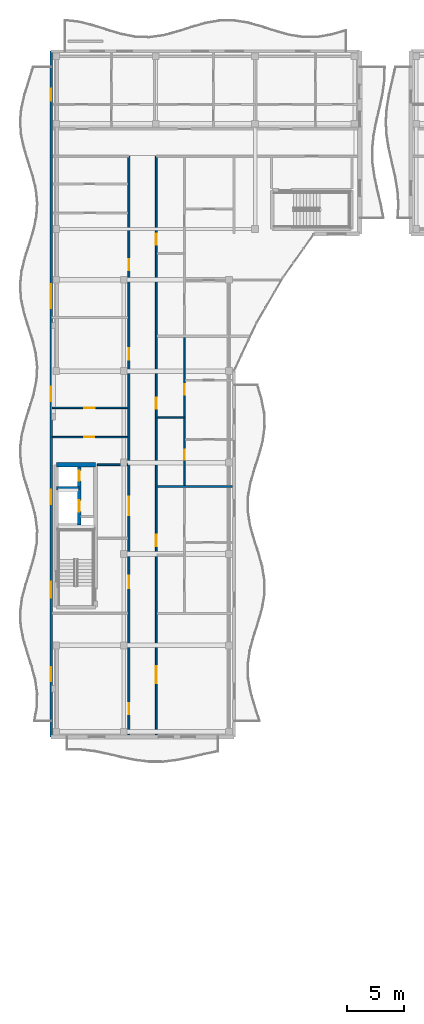
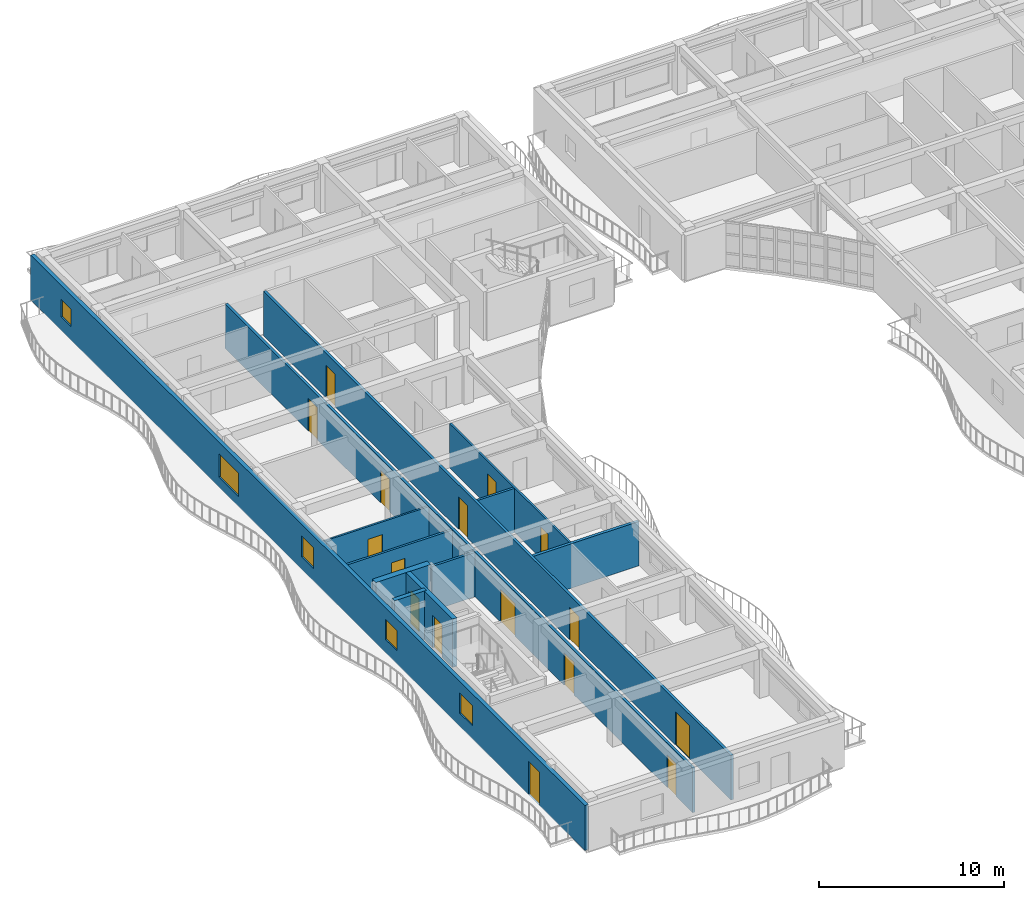
# One storey, part 40 of 79: 16 doors, 12 walls, 5 windows, 21 openings.
"""IFC4 building model written with IfcOpenShell, lengths in metres."""

from ifc_helpers import new_model, si_unit, direction, frame, frame_2d, origin, place, context, subcontext, project, spatial, rectangle, extrude, material, layer, layer_set, type_object, element, fill, save


model = new_model("IFC4")

# Units and contexts
model_context = context("Model", 3, precision=1e-05, world=origin(), true_north=direction((0.0, 1.0)))
body_context = subcontext(model_context, "Body", "Model", "MODEL_VIEW")
ifc_project = project(units=[si_unit("LENGTHUNIT", "METRE"), si_unit("AREAUNIT", "SQUARE_METRE"), si_unit("VOLUMEUNIT", "CUBIC_METRE"), si_unit("PLANEANGLEUNIT", "RADIAN"), si_unit("MASSUNIT", "GRAM", prefix="KILO")], contexts=[model_context])

# Site, building, storey
site_placement = place(None, origin())
site = spatial("IfcSite", under=ifc_project, at=site_placement, CompositionType="ELEMENT")
building_placement = place(site_placement, origin())
building = spatial("IfcBuilding", under=site, at=building_placement, Name="Keldmere Railside Commons", CompositionType="ELEMENT")
storey_placement = place(building_placement, frame((0.0, 0.0, 10.56005859375)))
storey = spatial("IfcBuildingStorey", under=building, at=storey_placement, Name="L03", CompositionType="ELEMENT", Elevation=10.56005859375)

# Wall
ifc_material_1 = material(Name="Acoustic Gypsum Board Partition", Category="gypsum")
ifc_layer_1 = layer(ifc_material_1, 0.179931640625, Name="Acoustic Demising Partition 180")
ifc_layer_set_1 = layer_set([ifc_layer_1], Name="Acoustic Gypsum Board Partition")
wall_type_1 = type_object("IfcWallType", Name="Acoustic Demising Partition 180", PredefinedType="PARTITIONING", material=ifc_layer_set_1)
wall_1_placement = place(storey_placement, frame((17.280029296875, 77.909912109375, 0.0), z_axis=(0.0, 0.0, 1.0), x_axis=(1.0, 0.0, 0.0)))
element("IfcWall", 1, at=wall_1_placement, inside=storey, type_object=wall_type_1, Name="IW-1 IW-L03-0295", PredefinedType="PARTITIONING", context=body_context, shape_type="SweptSolid", body=[
    extrude(rectangle(XDim=6.599853515625, YDim=0.179931640625, at=frame_2d((3.2998046875, 0.0))), origin(), (0.0, 0.0, 1.0), 2.93505859375),
])

# Wall, openings, doors
ifc_layer_2 = layer(ifc_material_1, 0.1201171875, Name="Apartment Interior Partition 120")
ifc_layer_set_2 = layer_set([ifc_layer_2], Name="Acoustic Gypsum Board Partition")
wall_type_2 = type_object("IfcWallType", Name="Apartment Interior Partition 120", PredefinedType="PARTITIONING", material=ifc_layer_set_2)
wall_2_placement = place(storey_placement, frame((19.659912109375, 78.0, 0.0), z_axis=(0.0, 0.0, 1.0), x_axis=(0.0, 1.0, 0.0)))
wall_2 = element("IfcWall", 2, at=wall_2_placement, inside=storey, type_object=wall_type_2, Name="IW-4 IW-L03-0300", PredefinedType="PARTITIONING", context=body_context, shape_type="SweptSolid", body=[
    extrude(rectangle(XDim=12.9599609375, YDim=0.1201171875, at=frame_2d((6.47998046875, 0.0))), origin(), (0.0, 0.0, 1.0), 2.93505859375),
])
opening_1_placement = place(wall_2_placement, frame((2.264892578125, 0.0, 0.0)))
opening_1 = element("IfcOpeningElement", 3, at=opening_1_placement, cuts=wall_2, Name="Opening ID-04", PredefinedType="OPENING", context=body_context, shape_type="SweptSolid", body=[
    extrude(rectangle(XDim=0.860107421875, YDim=2.10009765625, at=frame_2d((0.43017578125, 1.050048828125))), frame((0.0, 0.070068359375, 0.0), z_axis=(0.0, -1.0, 0.0), x_axis=(1.0, 0.0, 0.0)), (0.0, 0.0, 1.0), 0.14013671875),
])
opening_2_placement = place(wall_2_placement, frame((7.919921875, 0.0, 0.0)))
opening_2 = element("IfcOpeningElement", 4, at=opening_2_placement, cuts=wall_2, Name="Opening ID-03", PredefinedType="OPENING", context=body_context, shape_type="SweptSolid", body=[
    extrude(rectangle(XDim=0.919921875, YDim=2.10009765625, at=frame_2d((0.4599609375, 1.050048828125))), frame((0.0, 0.070068359375, 0.0), z_axis=(0.0, -1.0, 0.0), x_axis=(1.0, 0.0, 0.0)), (0.0, 0.0, 1.0), 0.14013671875),
])
ifc_material_2 = material(Name="Engineered Oak Timber", Category="wood")
door_type_1 = type_object("IfcDoorType", Name="Apartment Bathroom Door 860x2100", OperationType="NOTDEFINED", PredefinedType="DOOR", material=ifc_material_2)
door_1_placement = place(opening_1_placement, origin())
door_1 = element("IfcDoor", 5, at=door_1_placement, inside=storey, type_object=door_type_1, Name="ID-04 IDR-L03-0203", OperationType="SINGLE_SWING_LEFT", OverallHeight=2.10009765625, OverallWidth=0.860107421875, PredefinedType="DOOR", context=body_context, shape_type="SweptSolid", body=[
    extrude(rectangle(XDim=0.860107421875, YDim=2.10009765625, at=frame_2d((0.43017578125, 1.050048828125))), frame((0.0, 0.02490234375, 0.0), z_axis=(0.0, -1.0, 0.0), x_axis=(1.0, 0.0, 0.0)), (0.0, 0.0, 1.0), 0.050048828125),
])
fill(opening_1, door_1)
door_type_2 = type_object("IfcDoorType", Name="Kitchen Pocket-Frame Swing Door 920x2100", OperationType="NOTDEFINED", PredefinedType="DOOR", material=ifc_material_2)
door_2_placement = place(opening_2_placement, origin())
door_2 = element("IfcDoor", 6, at=door_2_placement, inside=storey, type_object=door_type_2, Name="ID-03 IDR-L03-0204", OperationType="SINGLE_SWING_RIGHT", OverallHeight=2.10009765625, OverallWidth=0.919921875, PredefinedType="DOOR", context=body_context, shape_type="SweptSolid", body=[
    extrude(rectangle(XDim=0.919921875, YDim=2.10009765625, at=frame_2d((0.4599609375, 1.050048828125))), frame((0.0, 0.02490234375, 0.0), z_axis=(0.0, -1.0, 0.0), x_axis=(1.0, 0.0, 0.0)), (0.0, 0.0, 1.0), 0.050048828125),
])
fill(opening_2, door_2)

# Wall, opening, door
wall_3_placement = place(storey_placement, frame((8.1201171875, 84.780029296875, 0.0), z_axis=(0.0, 0.0, 1.0), x_axis=(1.0, 0.0, 0.0)))
wall_3 = element("IfcWall", 7, at=wall_3_placement, inside=storey, type_object=wall_type_2, Name="IW-4 IW-L03-0321", PredefinedType="PARTITIONING", context=body_context, shape_type="SweptSolid", body=[
    extrude(rectangle(XDim=6.599853515625, YDim=0.1201171875, at=frame_2d((3.2998046875, 0.0))), origin(), (0.0, 0.0, 1.0), 2.93505859375),
])
opening_3_placement = place(wall_3_placement, frame((2.77197265625, 0.0, 0.0)))
opening_3 = element("IfcOpeningElement", 8, at=opening_3_placement, cuts=wall_3, Name="Opening ID-03", PredefinedType="OPENING", context=body_context, shape_type="SweptSolid", body=[
    extrude(rectangle(XDim=0.919921875, YDim=2.10009765625, at=frame_2d((0.4599609375, 1.050048828125))), frame((0.0, 0.070068359375, 0.0), z_axis=(0.0, -1.0, 0.0), x_axis=(1.0, 0.0, 0.0)), (0.0, 0.0, 1.0), 0.14013671875),
])
door_3_placement = place(opening_3_placement, origin())
door_3 = element("IfcDoor", 9, at=door_3_placement, inside=storey, type_object=door_type_2, Name="ID-03 IDR-L03-0230", OperationType="SINGLE_SWING_RIGHT", OverallHeight=2.10009765625, OverallWidth=0.919921875, PredefinedType="DOOR", context=body_context, shape_type="SweptSolid", body=[
    extrude(rectangle(XDim=0.919921875, YDim=2.10009765625, at=frame_2d((0.4599609375, 1.050048828125))), frame((0.0, 0.02490234375, 0.0), z_axis=(0.0, -1.0, 0.0), x_axis=(1.0, 0.0, 0.0)), (0.0, 0.0, 1.0), 0.050048828125),
])
fill(opening_3, door_3)

# Wall
ifc_material_3 = material(Name="Concrete H-35 (C35/45)", Category="concrete")
ifc_layer_3 = layer(ifc_material_3, 0.280029296875, Name="Core Shear Wall 280")
ifc_layer_set_3 = layer_set([ifc_layer_3], Name="Concrete H-35 (C35/45)")
wall_type_3 = type_object("IfcWallType", Name="Core Shear Wall 280", PredefinedType="SHEAR", material=ifc_layer_set_3)
wall_4_placement = place(storey_placement, frame((8.4599609375, 77.75, 0.0), z_axis=(0.0, 0.0, 1.0), x_axis=(1.0, 0.0, 0.0)))
element("IfcWall", 10, at=wall_4_placement, inside=storey, type_object=wall_type_3, Name="CSW-2 COREDL-L03-0068", PredefinedType="SHEAR", context=body_context, shape_type="SweptSolid", body=[
    extrude(rectangle(XDim=2.0, YDim=0.280029296875, at=frame_2d((1.0, 0.0))), origin(), (0.0, 0.0, 1.0), 3.199951171875),
])

# Wall, openings, doors
wall_5_placement = place(storey_placement, frame((10.4599609375, 74.550048828125, 0.0), z_axis=(0.0, 0.0, 1.0), x_axis=(0.0, 1.0, 0.0)))
wall_5 = element("IfcWall", 11, at=wall_5_placement, inside=storey, type_object=wall_type_3, Name="CSW-2 LSHD-L03-0069", PredefinedType="SHEAR", context=body_context, shape_type="SweptSolid", body=[
    extrude(rectangle(XDim=5.25, YDim=0.280029296875, at=frame_2d((2.625, 0.0))), origin(), (0.0, 0.0, 1.0), 3.199951171875),
])
opening_4_placement = place(wall_5_placement, frame((1.14990234375, 0.0, 0.0)))
opening_4 = element("IfcOpeningElement", 12, at=opening_4_placement, cuts=wall_5, Name="Opening LD-1", PredefinedType="OPENING", context=body_context, shape_type="SweptSolid", body=[
    extrude(rectangle(XDim=1.0, YDim=2.14990234375, at=frame_2d((0.5, 1.074951171875))), frame((0.0, 0.14990234375, 0.0), z_axis=(0.0, -1.0, 0.0), x_axis=(1.0, 0.0, 0.0)), (0.0, 0.0, 1.0), 0.300048828125),
])
opening_5_placement = place(wall_5_placement, frame((3.85009765625, 0.0, 0.0)))
opening_5 = element("IfcOpeningElement", 13, at=opening_5_placement, cuts=wall_5, Name="Opening LD-2", PredefinedType="OPENING", context=body_context, shape_type="SweptSolid", body=[
    extrude(rectangle(XDim=0.89990234375, YDim=2.14990234375, at=frame_2d((0.449951171875, 1.074951171875))), frame((0.0, 0.14990234375, 0.0), z_axis=(0.0, -1.0, 0.0), x_axis=(1.0, 0.0, 0.0)), (0.0, 0.0, 1.0), 0.300048828125),
])
ifc_material_4 = material(Name="Steel F-24 (S235)", Category="steel")
door_type_3 = type_object("IfcDoorType", Name="Firefighting Stretcher Lift Landing Door 1000x2150", OperationType="SLIDING_TO_LEFT", PredefinedType="DOOR", material=ifc_material_4)
door_4_placement = place(opening_4_placement, origin())
door_4 = element("IfcDoor", 14, at=door_4_placement, inside=storey, type_object=door_type_3, Name="LD-1 D L03", OperationType="SLIDING_TO_LEFT", OverallHeight=2.14990234375, OverallWidth=1.0, PredefinedType="DOOR", context=body_context, shape_type="SweptSolid", body=[
    extrude(rectangle(XDim=1.0, YDim=2.14990234375, at=frame_2d((0.5, 1.074951171875))), frame((0.0, 0.02490234375, 0.0), z_axis=(0.0, -1.0, 0.0), x_axis=(1.0, 0.0, 0.0)), (0.0, 0.0, 1.0), 0.050048828125),
])
fill(opening_4, door_4)
door_type_4 = type_object("IfcDoorType", Name="Passenger Lift Sliding Landing Door 900x2150", OperationType="SLIDING_TO_RIGHT", PredefinedType="DOOR", material=ifc_material_4)
door_5_placement = place(opening_5_placement, origin())
door_5 = element("IfcDoor", 15, at=door_5_placement, inside=storey, type_object=door_type_4, Name="LD-2 D L03", OperationType="SLIDING_TO_RIGHT", OverallHeight=2.14990234375, OverallWidth=0.89990234375, PredefinedType="DOOR", context=body_context, shape_type="SweptSolid", body=[
    extrude(rectangle(XDim=0.89990234375, YDim=2.14990234375, at=frame_2d((0.449951171875, 1.074951171875))), frame((0.0, 0.02490234375, 0.0), z_axis=(0.0, -1.0, 0.0), x_axis=(1.0, 0.0, 0.0)), (0.0, 0.0, 1.0), 0.050048828125),
])
fill(opening_5, door_5)

# Wall
ifc_material_5 = material(Name="Concrete H-40 (C40/50)", Category="concrete")
ifc_layer_4 = layer(ifc_material_5, 0.3798828125, Name="Core Shear Wall 380")
ifc_layer_set_4 = layer_set([ifc_layer_4], Name="Concrete H-40 (C40/50)")
wall_type_4 = type_object("IfcWallType", Name="Core Shear Wall 380", PredefinedType="SHEAR", material=ifc_layer_set_4)
wall_6_placement = place(storey_placement, frame((8.4599609375, 79.800048828125, 0.0), z_axis=(0.0, 0.0, 1.0), x_axis=(1.0, 0.0, 0.0)))
element("IfcWall", 16, at=wall_6_placement, inside=storey, type_object=wall_type_4, Name="CW-CORE COREDN-L03-0064", PredefinedType="SHEAR", context=body_context, shape_type="SweptSolid", body=[
    extrude(rectangle(XDim=3.41015625, YDim=0.3798828125, at=frame_2d((1.705078125, 0.0))), origin(), (0.0, 0.0, 1.0), 3.199951171875),
])

# Wall, openings, doors
ifc_layer_5 = layer(ifc_material_1, 0.159912109375, Name="Corridor Fire Partition 160")
ifc_layer_set_5 = layer_set([ifc_layer_5], Name="Acoustic Gypsum Board Partition")
wall_type_5 = type_object("IfcWallType", Name="Corridor Fire Partition 160", PredefinedType="PARTITIONING", material=ifc_layer_set_5)
wall_7_placement = place(storey_placement, frame((14.800048828125, 56.179931640625, 0.0), z_axis=(0.0, 0.0, 1.0), x_axis=(0.0, 1.0, 0.0)))
wall_7 = element("IfcWall", 17, at=wall_7_placement, inside=storey, type_object=wall_type_5, Name="IW-2 IW-L03-0286", PredefinedType="PARTITIONING", context=body_context, shape_type="SweptSolid", body=[
    extrude(rectangle(XDim=50.6201171875, YDim=0.159912109375, at=frame_2d((25.31005859375, 0.0))), origin(), (0.0, 0.0, 1.0), 2.93505859375),
])
opening_6_placement = place(wall_7_placement, frame((12.820068359375, 0.0, 0.0)))
opening_6 = element("IfcOpeningElement", 18, at=opening_6_placement, cuts=wall_7, Name="Opening FD-2", PredefinedType="OPENING", context=body_context, shape_type="SweptSolid", body=[
    extrude(rectangle(XDim=1.10009765625, YDim=2.14990234375, at=frame_2d((0.550048828125, 1.074951171875))), frame((0.0, 0.08984375, 0.0), z_axis=(0.0, -1.0, 0.0), x_axis=(1.0, 0.0, 0.0)), (0.0, 0.0, 1.0), 0.179931640625),
])
opening_7_placement = place(wall_7_placement, frame((19.219970703125, 0.0, 0.0)))
opening_7 = element("IfcOpeningElement", 19, at=opening_7_placement, cuts=wall_7, Name="Opening FD-4", PredefinedType="OPENING", context=body_context, shape_type="SweptSolid", body=[
    extrude(rectangle(XDim=1.60009765625, YDim=2.14990234375, at=frame_2d((0.800048828125, 1.074951171875))), frame((0.0, 0.08984375, 0.0), z_axis=(0.0, -1.0, 0.0), x_axis=(1.0, 0.0, 0.0)), (0.0, 0.0, 1.0), 0.179931640625),
])
opening_8_placement = place(wall_7_placement, frame((1.800048828125, 0.0, 0.0)))
opening_8 = element("IfcOpeningElement", 20, at=opening_8_placement, cuts=wall_7, Name="Opening ID-08", PredefinedType="OPENING", context=body_context, shape_type="SweptSolid", body=[
    extrude(rectangle(XDim=0.9599609375, YDim=2.14990234375, at=frame_2d((0.47998046875, 1.074951171875))), frame((0.0, 0.08984375, 0.0), z_axis=(0.0, -1.0, 0.0), x_axis=(1.0, 0.0, 0.0)), (0.0, 0.0, 1.0), 0.179931640625),
])
opening_9_placement = place(wall_7_placement, frame((32.824951171875, 0.0, 0.0)))
opening_9 = element("IfcOpeningElement", 21, at=opening_9_placement, cuts=wall_7, Name="Opening FD-7", PredefinedType="OPENING", context=body_context, shape_type="SweptSolid", body=[
    extrude(rectangle(XDim=0.97998046875, YDim=2.14990234375, at=frame_2d((0.489990234375, 1.074951171875))), frame((0.0, 0.08984375, 0.0), z_axis=(0.0, -1.0, 0.0), x_axis=(1.0, 0.0, 0.0)), (0.0, 0.0, 1.0), 0.179931640625),
])
opening_10_placement = place(wall_7_placement, frame((40.635009765625, 0.0, 0.0)))
opening_10 = element("IfcOpeningElement", 22, at=opening_10_placement, cuts=wall_7, Name="Opening FD-7", PredefinedType="OPENING", context=body_context, shape_type="SweptSolid", body=[
    extrude(rectangle(XDim=0.97998046875, YDim=2.14990234375, at=frame_2d((0.489990234375, 1.074951171875))), frame((0.0, 0.08984375, 0.0), z_axis=(0.0, -1.0, 0.0), x_axis=(1.0, 0.0, 0.0)), (0.0, 0.0, 1.0), 0.179931640625),
])
door_type_5 = type_object("IfcDoorType", Name="Apartment Entrance Acoustic Fire Door 980x2150", OperationType="NOTDEFINED", PredefinedType="DOOR", material=ifc_material_2)
door_6_placement = place(opening_9_placement, origin())
door_6 = element("IfcDoor", 23, at=door_6_placement, inside=storey, type_object=door_type_5, Name="FD-7 IDR-L03-0231", OperationType="SINGLE_SWING_LEFT", OverallHeight=2.14990234375, OverallWidth=0.97998046875, PredefinedType="DOOR", context=body_context, shape_type="SweptSolid", body=[
    extrude(rectangle(XDim=0.97998046875, YDim=2.14990234375, at=frame_2d((0.489990234375, 1.074951171875))), frame((0.0, 0.02490234375, 0.0), z_axis=(0.0, -1.0, 0.0), x_axis=(1.0, 0.0, 0.0)), (0.0, 0.0, 1.0), 0.050048828125),
])
fill(opening_9, door_6)
door_7_placement = place(opening_10_placement, origin())
door_7 = element("IfcDoor", 24, at=door_7_placement, inside=storey, type_object=door_type_5, Name="FD-7 IDR-L03-0234", OperationType="SINGLE_SWING_RIGHT", OverallHeight=2.14990234375, OverallWidth=0.97998046875, PredefinedType="DOOR", context=body_context, shape_type="SweptSolid", body=[
    extrude(rectangle(XDim=0.97998046875, YDim=2.14990234375, at=frame_2d((0.489990234375, 1.074951171875))), frame((0.0, 0.02490234375, 0.0), z_axis=(0.0, -1.0, 0.0), x_axis=(1.0, 0.0, 0.0)), (0.0, 0.0, 1.0), 0.050048828125),
])
fill(opening_10, door_7)
door_type_6 = type_object("IfcDoorType", Name="Corridor Cross-Compartment Double Fire Door 1600x2150", OperationType="DOUBLE_DOOR_SINGLE_SWING", PredefinedType="DOOR", material=ifc_material_4)
door_8_placement = place(opening_7_placement, origin())
door_8 = element("IfcDoor", 25, at=door_8_placement, inside=storey, type_object=door_type_6, Name="FD-4 IDR-L03-0197", OperationType="DOUBLE_DOOR_SINGLE_SWING", OverallHeight=2.14990234375, OverallWidth=1.60009765625, PredefinedType="DOOR", context=body_context, shape_type="SweptSolid", body=[
    extrude(rectangle(XDim=1.60009765625, YDim=2.14990234375, at=frame_2d((0.800048828125, 1.074951171875))), frame((0.0, 0.02490234375, 0.0), z_axis=(0.0, -1.0, 0.0), x_axis=(1.0, 0.0, 0.0)), (0.0, 0.0, 1.0), 0.050048828125),
])
fill(opening_7, door_8)
door_type_7 = type_object("IfcDoorType", Name="Firefighting Lobby Fire Door 1100x2150", OperationType="NOTDEFINED", PredefinedType="DOOR", material=ifc_material_4)
door_9_placement = place(opening_6_placement, origin())
door_9 = element("IfcDoor", 26, at=door_9_placement, inside=storey, type_object=door_type_7, Name="FD-2 IDR-L03-0196", OperationType="SINGLE_SWING_RIGHT", OverallHeight=2.14990234375, OverallWidth=1.10009765625, PredefinedType="DOOR", context=body_context, shape_type="SweptSolid", body=[
    extrude(rectangle(XDim=1.10009765625, YDim=2.14990234375, at=frame_2d((0.550048828125, 1.074951171875))), frame((0.0, 0.02490234375, 0.0), z_axis=(0.0, -1.0, 0.0), x_axis=(1.0, 0.0, 0.0)), (0.0, 0.0, 1.0), 0.050048828125),
])
fill(opening_6, door_9)
door_type_8 = type_object("IfcDoorType", Name="Study & Meeting Room Door 960x2150", OperationType="NOTDEFINED", PredefinedType="DOOR", material=ifc_material_2)
door_10_placement = place(opening_8_placement, origin())
door_10 = element("IfcDoor", 27, at=door_10_placement, inside=storey, type_object=door_type_8, Name="ID-08 IDR-L03-0228", OperationType="SINGLE_SWING_RIGHT", OverallHeight=2.14990234375, OverallWidth=0.9599609375, PredefinedType="DOOR", context=body_context, shape_type="SweptSolid", body=[
    extrude(rectangle(XDim=0.9599609375, YDim=2.14990234375, at=frame_2d((0.47998046875, 1.074951171875))), frame((0.0, 0.02490234375, 0.0), z_axis=(0.0, -1.0, 0.0), x_axis=(1.0, 0.0, 0.0)), (0.0, 0.0, 1.0), 0.050048828125),
])
fill(opening_8, door_10)

wall_8_placement = place(storey_placement, frame((17.199951171875, 56.179931640625, 0.0), z_axis=(0.0, 0.0, 1.0), x_axis=(0.0, 1.0, 0.0)))
wall_8 = element("IfcWall", 28, at=wall_8_placement, inside=storey, type_object=wall_type_5, Name="IW-2 IW-L03-0287", PredefinedType="PARTITIONING", context=body_context, shape_type="SweptSolid", body=[
    extrude(rectangle(XDim=50.6201171875, YDim=0.159912109375, at=frame_2d((25.31005859375, 0.0))), origin(), (0.0, 0.0, 1.0), 2.93505859375),
])
opening_11_placement = place(wall_8_placement, frame((4.510009765625, 0.0, 0.0)))
opening_11 = element("IfcOpeningElement", 29, at=opening_11_placement, cuts=wall_8, Name="Opening ID-07", PredefinedType="OPENING", context=body_context, shape_type="SweptSolid", body=[
    extrude(rectangle(XDim=1.5, YDim=2.199951171875, at=frame_2d((0.75, 1.10009765625))), frame((0.0, 0.08984375, 0.0), z_axis=(0.0, -1.0, 0.0), x_axis=(1.0, 0.0, 0.0)), (0.0, 0.0, 1.0), 0.179931640625),
])
opening_12_placement = place(wall_8_placement, frame((16.47998046875, 0.0, 0.0)))
opening_12 = element("IfcOpeningElement", 30, at=opening_12_placement, cuts=wall_8, Name="Opening FD-8", PredefinedType="OPENING", context=body_context, shape_type="SweptSolid", body=[
    extrude(rectangle(XDim=1.02001953125, YDim=2.14990234375, at=frame_2d((0.510009765625, 1.074951171875))), frame((0.0, 0.08984375, 0.0), z_axis=(0.0, -1.0, 0.0), x_axis=(1.0, 0.0, 0.0)), (0.0, 0.0, 1.0), 0.179931640625),
])
opening_13_placement = place(wall_8_placement, frame((28.530029296875, 0.0, 0.0)))
opening_13 = element("IfcOpeningElement", 31, at=opening_13_placement, cuts=wall_8, Name="Opening FD-7", PredefinedType="OPENING", context=body_context, shape_type="SweptSolid", body=[
    extrude(rectangle(XDim=0.97998046875, YDim=2.14990234375, at=frame_2d((0.489990234375, 1.074951171875))), frame((0.0, 0.08984375, 0.0), z_axis=(0.0, -1.0, 0.0), x_axis=(1.0, 0.0, 0.0)), (0.0, 0.0, 1.0), 0.179931640625),
])
opening_14_placement = place(wall_8_placement, frame((42.8798828125, 0.0, 0.0)))
opening_14 = element("IfcOpeningElement", 32, at=opening_14_placement, cuts=wall_8, Name="Opening FD-7", PredefinedType="OPENING", context=body_context, shape_type="SweptSolid", body=[
    extrude(rectangle(XDim=0.97998046875, YDim=2.14990234375, at=frame_2d((0.489990234375, 1.074951171875))), frame((0.0, 0.08984375, 0.0), z_axis=(0.0, -1.0, 0.0), x_axis=(1.0, 0.0, 0.0)), (0.0, 0.0, 1.0), 0.179931640625),
])
door_type_9 = type_object("IfcDoorType", Name="Adaptable Apartment Entrance Fire Door 1020x2150", OperationType="NOTDEFINED", PredefinedType="DOOR", material=ifc_material_2)
door_11_placement = place(opening_12_placement, origin())
door_11 = element("IfcDoor", 33, at=door_11_placement, inside=storey, type_object=door_type_9, Name="FD-8 IDR-L03-0201", OperationType="SINGLE_SWING_LEFT", OverallHeight=2.14990234375, OverallWidth=1.02001953125, PredefinedType="DOOR", context=body_context, shape_type="SweptSolid", body=[
    extrude(rectangle(XDim=1.02001953125, YDim=2.14990234375, at=frame_2d((0.510009765625, 1.074951171875))), frame((0.0, 0.02490234375, 0.0), z_axis=(0.0, -1.0, 0.0), x_axis=(1.0, 0.0, 0.0)), (0.0, 0.0, 1.0), 0.050048828125),
])
fill(opening_12, door_11)
door_12_placement = place(opening_13_placement, origin())
door_12 = element("IfcDoor", 34, at=door_12_placement, inside=storey, type_object=door_type_5, Name="FD-7 IDR-L03-0205", OperationType="SINGLE_SWING_LEFT", OverallHeight=2.14990234375, OverallWidth=0.97998046875, PredefinedType="DOOR", context=body_context, shape_type="SweptSolid", body=[
    extrude(rectangle(XDim=0.97998046875, YDim=2.14990234375, at=frame_2d((0.489990234375, 1.074951171875))), frame((0.0, 0.02490234375, 0.0), z_axis=(0.0, -1.0, 0.0), x_axis=(1.0, 0.0, 0.0)), (0.0, 0.0, 1.0), 0.050048828125),
])
fill(opening_13, door_12)
door_13_placement = place(opening_14_placement, origin())
door_13 = element("IfcDoor", 35, at=door_13_placement, inside=storey, type_object=door_type_5, Name="FD-7 IDR-L03-0210", OperationType="SINGLE_SWING_RIGHT", OverallHeight=2.14990234375, OverallWidth=0.97998046875, PredefinedType="DOOR", context=body_context, shape_type="SweptSolid", body=[
    extrude(rectangle(XDim=0.97998046875, YDim=2.14990234375, at=frame_2d((0.489990234375, 1.074951171875))), frame((0.0, 0.02490234375, 0.0), z_axis=(0.0, -1.0, 0.0), x_axis=(1.0, 0.0, 0.0)), (0.0, 0.0, 1.0), 0.050048828125),
])
fill(opening_14, door_13)
door_type_10 = type_object("IfcDoorType", Name="Resident Lounge Double Door 1500x2200", OperationType="DOUBLE_DOOR_SINGLE_SWING", PredefinedType="DOOR", material=ifc_material_2)
door_14_placement = place(opening_11_placement, origin())
door_14 = element("IfcDoor", 36, at=door_14_placement, inside=storey, type_object=door_type_10, Name="ID-07 IDR-L03-0198", OperationType="DOUBLE_DOOR_SINGLE_SWING", OverallHeight=2.199951171875, OverallWidth=1.5, PredefinedType="DOOR", context=body_context, shape_type="SweptSolid", body=[
    extrude(rectangle(XDim=1.5, YDim=2.199951171875, at=frame_2d((0.75, 1.10009765625))), frame((0.0, 0.02490234375, 0.0), z_axis=(0.0, -1.0, 0.0), x_axis=(1.0, 0.0, 0.0)), (0.0, 0.0, 1.0), 0.050048828125),
])
fill(opening_11, door_14)

# Wall
ifc_layer_6 = layer(ifc_material_1, 0.14990234375, Name="Lobby Rated Partition 150")
ifc_layer_set_6 = layer_set([ifc_layer_6], Name="Acoustic Gypsum Board Partition")
wall_type_6 = type_object("IfcWallType", Name="Lobby Rated Partition 150", PredefinedType="PARTITIONING", material=ifc_layer_set_6)
wall_9_placement = place(storey_placement, frame((12.0400390625, 79.800048828125, 0.0), z_axis=(0.0, 0.0, 1.0), x_axis=(1.0, 0.0, 0.0)))
element("IfcWall", 37, at=wall_9_placement, inside=storey, type_object=wall_type_6, Name="IW-3 IW-L03-0285", PredefinedType="PARTITIONING", context=body_context, shape_type="SweptSolid", body=[
    extrude(rectangle(XDim=2.679931640625, YDim=0.14990234375, at=frame_2d((1.33984375, 0.0))), origin(), (0.0, 0.0, 1.0), 2.93505859375),
])

# Wall, openings, windows, door
ifc_material_6 = material(Name="Architectural Precast Concrete H-35 (C35/45)", Category="concrete")
ifc_layer_7 = layer(ifc_material_6, 0.239990234375, Name="Sand-Ochre Precast Cavity Wall 240")
ifc_layer_set_7 = layer_set([ifc_layer_7], Name="Architectural Precast Concrete H-35 (C35/45)")
wall_type_7 = type_object("IfcWallType", Name="Sand-Ochre Precast Cavity Wall 240", PredefinedType="SOLIDWALL", material=ifc_layer_set_7)
wall_10_placement = place(storey_placement, frame((8.0, 56.0, 0.0), z_axis=(0.0, 0.0, 1.0), x_axis=(0.0, 1.0, 0.0)))
wall_10 = element("IfcWall", 38, at=wall_10_placement, inside=storey, type_object=wall_type_7, Name="EW-2 EXTD-L03-0148", PredefinedType="SOLIDWALL", context=body_context, shape_type="SweptSolid", body=[
    extrude(rectangle(XDim=60.0, YDim=0.239990234375, at=frame_2d((30.0, 0.0))), origin(), (0.0, 0.0, 1.0), 2.97998046875),
])
opening_15_placement = place(wall_10_placement, frame((4.8857421875, 0.0, 0.0)))
opening_15 = element("IfcOpeningElement", 39, at=opening_15_placement, cuts=wall_10, Name="Opening BD-01", PredefinedType="OPENING", context=body_context, shape_type="SweptSolid", body=[
    extrude(rectangle(XDim=1.199951171875, YDim=2.199951171875, at=frame_2d((0.60009765625, 1.10009765625))), frame((0.0, 0.1298828125, 0.0), z_axis=(0.0, -1.0, 0.0), x_axis=(1.0, 0.0, 0.0)), (0.0, 0.0, 1.0), 0.260009765625),
])
opening_16_placement = place(wall_10_placement, frame((12.156982421875, 0.0, 0.8701171875)))
opening_16 = element("IfcOpeningElement", 40, at=opening_16_placement, cuts=wall_10, Name="Opening WN-08", PredefinedType="OPENING", context=body_context, shape_type="SweptSolid", body=[
    extrude(rectangle(XDim=1.39990234375, YDim=1.35009765625, at=frame_2d((0.699951171875, 0.675048828125))), frame((0.0, 0.1298828125, 0.0), z_axis=(0.0, -1.0, 0.0), x_axis=(1.0, 0.0, 0.0)), (0.0, 0.0, 1.0), 0.260009765625),
])
opening_17_placement = place(wall_10_placement, frame((20.353515625, 0.0, 0.8701171875)))
opening_17 = element("IfcOpeningElement", 41, at=opening_17_placement, cuts=wall_10, Name="Opening WN-09", PredefinedType="OPENING", context=body_context, shape_type="SweptSolid", body=[
    extrude(rectangle(XDim=1.25, YDim=1.35009765625, at=frame_2d((0.625, 0.675048828125))), frame((0.0, 0.1298828125, 0.0), z_axis=(0.0, -1.0, 0.0), x_axis=(1.0, 0.0, 0.0)), (0.0, 0.0, 1.0), 0.260009765625),
])
opening_18_placement = place(wall_10_placement, frame((29.35009765625, 0.0, 0.820068359375)))
opening_18 = element("IfcOpeningElement", 42, at=opening_18_placement, cuts=wall_10, Name="Opening WN-10", PredefinedType="OPENING", context=body_context, shape_type="SweptSolid", body=[
    extrude(rectangle(XDim=1.300048828125, YDim=1.39990234375, at=frame_2d((0.64990234375, 0.699951171875))), frame((0.0, 0.1298828125, 0.0), z_axis=(0.0, -1.0, 0.0), x_axis=(1.0, 0.0, 0.0)), (0.0, 0.0, 1.0), 0.260009765625),
])
opening_19_placement = place(wall_10_placement, frame((37.521484375, 0.0, 0.669921875)))
opening_19 = element("IfcOpeningElement", 43, at=opening_19_placement, cuts=wall_10, Name="Opening WN-11", PredefinedType="OPENING", context=body_context, shape_type="SweptSolid", body=[
    extrude(rectangle(XDim=2.10009765625, YDim=1.550048828125, at=frame_2d((1.050048828125, 0.77490234375))), frame((0.0, 0.1298828125, 0.0), z_axis=(0.0, -1.0, 0.0), x_axis=(1.0, 0.0, 0.0)), (0.0, 0.0, 1.0), 0.260009765625),
])
opening_20_placement = place(wall_10_placement, frame((55.639404296875, 0.0, 0.89990234375)))
opening_20 = element("IfcOpeningElement", 44, at=opening_20_placement, cuts=wall_10, Name="Opening WN-13", PredefinedType="OPENING", context=body_context, shape_type="SweptSolid", body=[
    extrude(rectangle(XDim=1.050048828125, YDim=1.14990234375, at=frame_2d((0.52490234375, 0.574951171875))), frame((0.0, 0.1298828125, 0.0), z_axis=(0.0, -1.0, 0.0), x_axis=(1.0, 0.0, 0.0)), (0.0, 0.0, 1.0), 0.260009765625),
])
ifc_material_7 = material(Name="Low-E Insulated Double Glazing", Category="glass")
window_type_1 = type_object("IfcWindowType", Name="Apartment Kitchen Casement Window 1050x1150", PartitioningType="SINGLE_PANEL", PredefinedType="WINDOW", material=ifc_material_7)
window_1_placement = place(opening_20_placement, origin())
window_1 = element("IfcWindow", 45, at=window_1_placement, inside=storey, type_object=window_type_1, Name="WN-13 WIN-L03-0080", OverallHeight=1.14990234375, OverallWidth=1.050048828125, PartitioningType="SINGLE_PANEL", PredefinedType="WINDOW", context=body_context, shape_type="SweptSolid", body=[
    extrude(rectangle(XDim=1.050048828125, YDim=1.14990234375, at=frame_2d((0.52490234375, 0.574951171875))), frame((0.0, 0.030029296875, 0.0), z_axis=(0.0, -1.0, 0.0), x_axis=(1.0, 0.0, 0.0)), (0.0, 0.0, 1.0), 0.06005859375),
])
fill(opening_20, window_1)
ifc_material_8 = material(Name="Thermally Broken Aluminium", Category="aluminium")
door_type_11 = type_object("IfcDoorType", Name="Apartment Living Wave-Balcony Glazed Door 1200x2200", OperationType="NOTDEFINED", PredefinedType="DOOR", material=ifc_material_8)
door_15_placement = place(opening_15_placement, origin())
door_15 = element("IfcDoor", 46, at=door_15_placement, inside=storey, type_object=door_type_11, Name="BD-01 DR-L03-0024", OperationType="SINGLE_SWING_RIGHT", OverallHeight=2.199951171875, OverallWidth=1.199951171875, PredefinedType="DOOR", context=body_context, shape_type="SweptSolid", body=[
    extrude(rectangle(XDim=1.199951171875, YDim=2.199951171875, at=frame_2d((0.60009765625, 1.10009765625))), frame((0.0, 0.02490234375, 0.0), z_axis=(0.0, -1.0, 0.0), x_axis=(1.0, 0.0, 0.0)), (0.0, 0.0, 1.0), 0.050048828125),
])
fill(opening_15, door_15)
window_type_2 = type_object("IfcWindowType", Name="Primary Bedroom East/West Window 1400x1350", PartitioningType="SINGLE_PANEL", PredefinedType="WINDOW", material=ifc_material_7)
window_2_placement = place(opening_16_placement, origin())
window_2 = element("IfcWindow", 47, at=window_2_placement, inside=storey, type_object=window_type_2, Name="WN-08 WIN-L03-0075", OverallHeight=1.35009765625, OverallWidth=1.39990234375, PartitioningType="SINGLE_PANEL", PredefinedType="WINDOW", context=body_context, shape_type="SweptSolid", body=[
    extrude(rectangle(XDim=1.39990234375, YDim=1.35009765625, at=frame_2d((0.699951171875, 0.675048828125))), frame((0.0, 0.030029296875, 0.0), z_axis=(0.0, -1.0, 0.0), x_axis=(1.0, 0.0, 0.0)), (0.0, 0.0, 1.0), 0.06005859375),
])
fill(opening_16, window_2)
window_type_3 = type_object("IfcWindowType", Name="Secondary Bedroom Court Window 1300x1400", PartitioningType="SINGLE_PANEL", PredefinedType="WINDOW", material=ifc_material_7)
window_3_placement = place(opening_18_placement, origin())
window_3 = element("IfcWindow", 48, at=window_3_placement, inside=storey, type_object=window_type_3, Name="WN-10 WIN-L03-0077", OverallHeight=1.39990234375, OverallWidth=1.300048828125, PartitioningType="SINGLE_PANEL", PredefinedType="WINDOW", context=body_context, shape_type="SweptSolid", body=[
    extrude(rectangle(XDim=1.300048828125, YDim=1.39990234375, at=frame_2d((0.64990234375, 0.699951171875))), frame((0.0, 0.030029296875, 0.0), z_axis=(0.0, -1.0, 0.0), x_axis=(1.0, 0.0, 0.0)), (0.0, 0.0, 1.0), 0.06005859375),
])
fill(opening_18, window_3)
window_type_4 = type_object("IfcWindowType", Name="Secondary Bedroom Window 1250x1350", PartitioningType="SINGLE_PANEL", PredefinedType="WINDOW", material=ifc_material_7)
window_4_placement = place(opening_17_placement, origin())
window_4 = element("IfcWindow", 49, at=window_4_placement, inside=storey, type_object=window_type_4, Name="WN-09 WIN-L03-0076", OverallHeight=1.35009765625, OverallWidth=1.25, PartitioningType="SINGLE_PANEL", PredefinedType="WINDOW", context=body_context, shape_type="SweptSolid", body=[
    extrude(rectangle(XDim=1.25, YDim=1.35009765625, at=frame_2d((0.625, 0.675048828125))), frame((0.0, 0.030029296875, 0.0), z_axis=(0.0, -1.0, 0.0), x_axis=(1.0, 0.0, 0.0)), (0.0, 0.0, 1.0), 0.06005859375),
])
fill(opening_17, window_4)
window_type_5 = type_object("IfcWindowType", Name="Studio Wide Casement Window 2100x1550", PartitioningType="SINGLE_PANEL", PredefinedType="WINDOW", material=ifc_material_7)
window_5_placement = place(opening_19_placement, origin())
window_5 = element("IfcWindow", 50, at=window_5_placement, inside=storey, type_object=window_type_5, Name="WN-11 WIN-L03-0078", OverallHeight=1.550048828125, OverallWidth=2.10009765625, PartitioningType="SINGLE_PANEL", PredefinedType="WINDOW", context=body_context, shape_type="SweptSolid", body=[
    extrude(rectangle(XDim=2.10009765625, YDim=1.550048828125, at=frame_2d((1.050048828125, 0.77490234375))), frame((0.0, 0.030029296875, 0.0), z_axis=(0.0, -1.0, 0.0), x_axis=(1.0, 0.0, 0.0)), (0.0, 0.0, 1.0), 0.06005859375),
])
fill(opening_19, window_5)

# Wall
ifc_layer_8 = layer(ifc_material_1, 0.139892578125, Name="Wet-Room Sanitary Partition 140")
ifc_layer_set_8 = layer_set([ifc_layer_8], Name="Acoustic Gypsum Board Partition")
wall_type_8 = type_object("IfcWallType", Name="Wet-Room Sanitary Partition 140", PredefinedType="PARTITIONING", material=ifc_layer_set_8)
wall_11_placement = place(storey_placement, frame((17.280029296875, 83.9599609375, 0.0), z_axis=(0.0, 0.0, 1.0), x_axis=(1.0, 0.0, 0.0)))
element("IfcWall", 51, at=wall_11_placement, inside=storey, type_object=wall_type_8, Name="IW-5 IW-L03-0301", PredefinedType="PARTITIONING", context=body_context, shape_type="SweptSolid", body=[
    extrude(rectangle(XDim=2.320068359375, YDim=0.139892578125, at=frame_2d((1.16015625, 0.0))), origin(), (0.0, 0.0, 1.0), 2.93505859375),
])

# Wall, opening, door
wall_12_placement = place(storey_placement, frame((8.1201171875, 82.22998046875, 0.0), z_axis=(0.0, 0.0, 1.0), x_axis=(1.0, 0.0, 0.0)))
wall_12 = element("IfcWall", 52, at=wall_12_placement, inside=storey, type_object=wall_type_8, Name="IW-5 IW-L03-0320", PredefinedType="PARTITIONING", context=body_context, shape_type="SweptSolid", body=[
    extrude(rectangle(XDim=6.599853515625, YDim=0.139892578125, at=frame_2d((3.2998046875, 0.0))), origin(), (0.0, 0.0, 1.0), 2.93505859375),
])
opening_21_placement = place(wall_12_placement, frame((2.77197265625, 0.0, 0.0)))
opening_21 = element("IfcOpeningElement", 53, at=opening_21_placement, cuts=wall_12, Name="Opening ID-04", PredefinedType="OPENING", context=body_context, shape_type="SweptSolid", body=[
    extrude(rectangle(XDim=0.860107421875, YDim=2.10009765625, at=frame_2d((0.43017578125, 1.050048828125))), frame((0.0, 0.079833984375, 0.0), z_axis=(0.0, -1.0, 0.0), x_axis=(1.0, 0.0, 0.0)), (0.0, 0.0, 1.0), 0.159912109375),
])
door_16_placement = place(opening_21_placement, origin())
door_16 = element("IfcDoor", 54, at=door_16_placement, inside=storey, type_object=door_type_1, Name="ID-04 IDR-L03-0229", OperationType="SINGLE_SWING_LEFT", OverallHeight=2.10009765625, OverallWidth=0.860107421875, PredefinedType="DOOR", context=body_context, shape_type="SweptSolid", body=[
    extrude(rectangle(XDim=0.860107421875, YDim=2.10009765625, at=frame_2d((0.43017578125, 1.050048828125))), frame((0.0, 0.02490234375, 0.0), z_axis=(0.0, -1.0, 0.0), x_axis=(1.0, 0.0, 0.0)), (0.0, 0.0, 1.0), 0.050048828125),
])
fill(opening_21, door_16)

save(model, "model.ifc")
